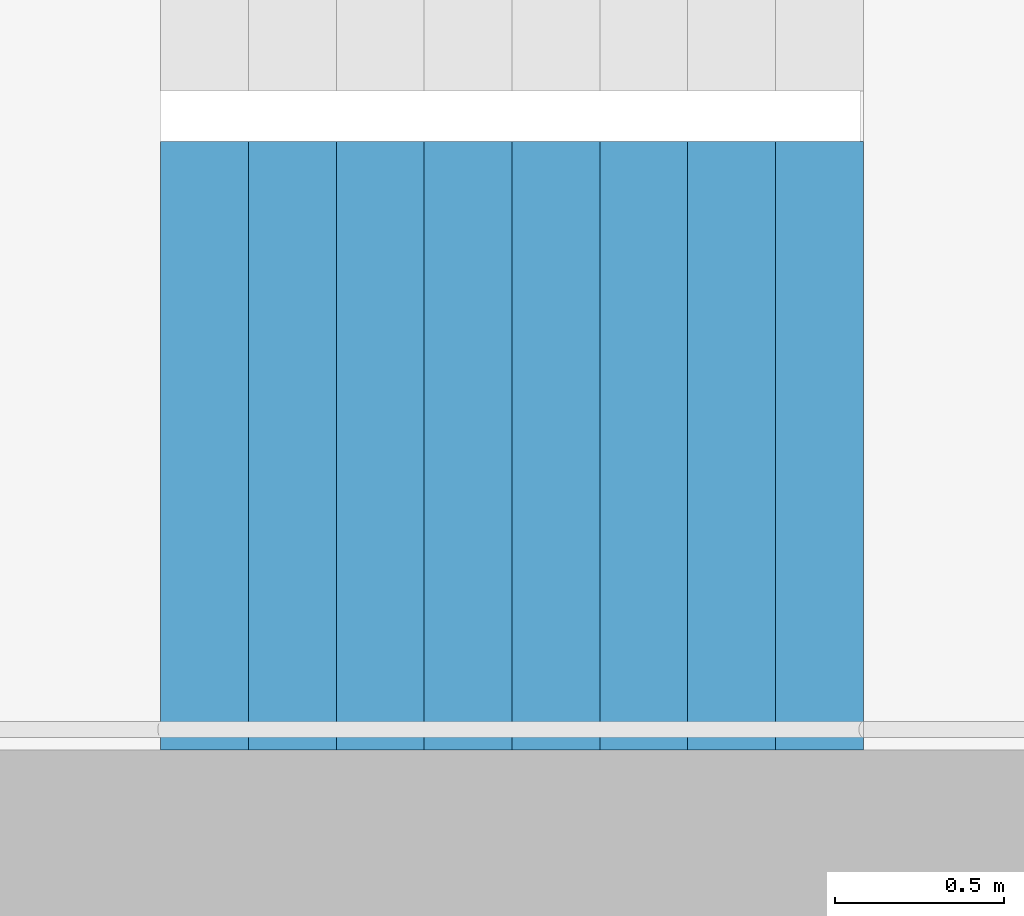
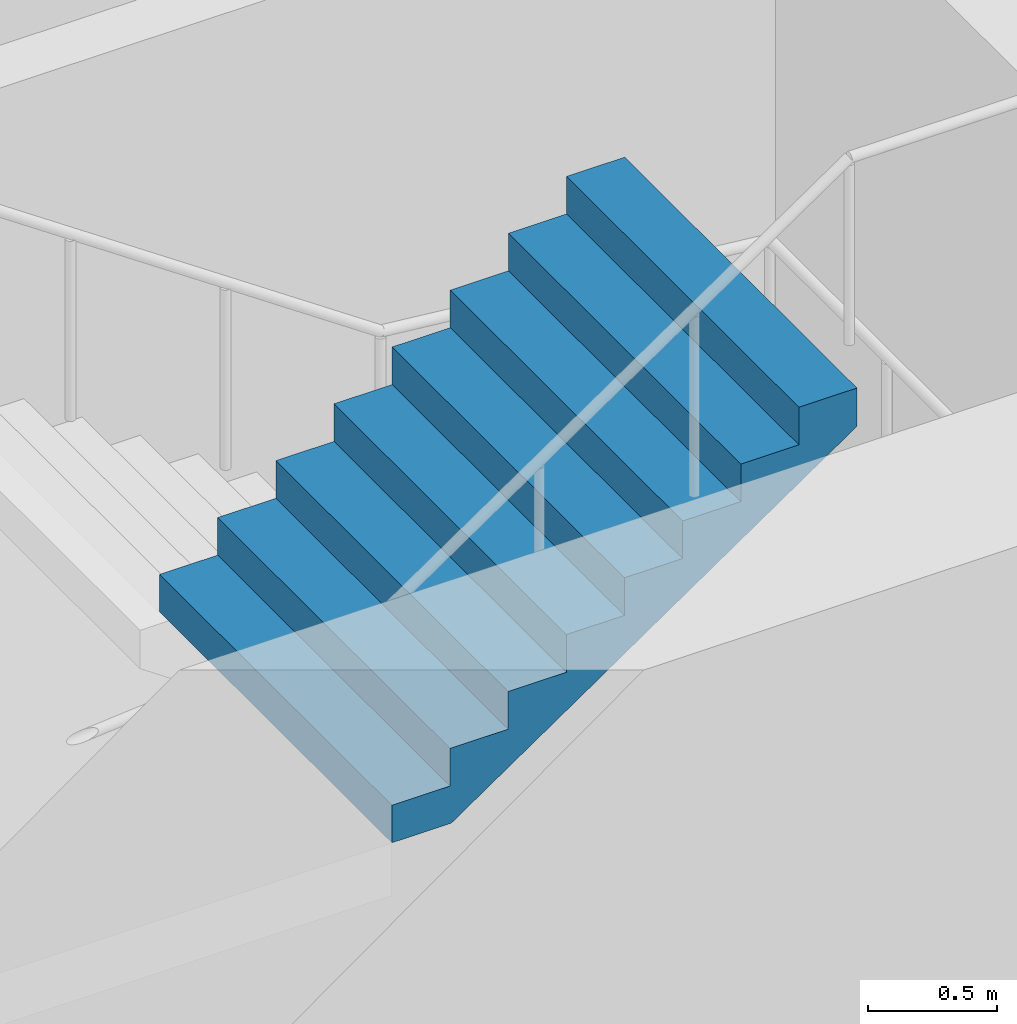
# One storey, part 18 of 43: 1 stair flight, 1 element without a shape of its own.
"""IFC4 building model written with IfcOpenShell, lengths in metres."""

from ifc_helpers import new_model, si_unit, direction, frame, origin, place, context, subcontext, project, spatial, triangles, material, type_object, element, aggregate, save


model = new_model("IFC4")

# Units and contexts
model_context = context("Model", 3, precision=1e-05, world=origin(), true_north=direction((0.0, 1.0)))
body_context = subcontext(model_context, "Body", "Model", "MODEL_VIEW")
ifc_project = project(units=[si_unit("LENGTHUNIT", "METRE"), si_unit("AREAUNIT", "SQUARE_METRE"), si_unit("VOLUMEUNIT", "CUBIC_METRE"), si_unit("PLANEANGLEUNIT", "RADIAN"), si_unit("MASSUNIT", "GRAM", prefix="KILO")], contexts=[model_context])

# Site, building, storey
site_placement = place(None, origin())
site = spatial("IfcSite", under=ifc_project, at=site_placement, CompositionType="ELEMENT")
building_placement = place(site_placement, origin())
building = spatial("IfcBuilding", under=site, at=building_placement, Name="Hakoniwa Tower and Hamabe Station Hall", CompositionType="ELEMENT")
storey_placement = place(building_placement, frame((0.0, 0.0, 124.60009765625)))
storey = spatial("IfcBuildingStorey", under=building, at=storey_placement, Name="L35", CompositionType="ELEMENT", Elevation=124.60009765625)

# Stair, stair flight
ifc_material_1 = material(Name="Concrete C40", Category="concrete")
stair_type = type_object("IfcStairType", Name="ESCAPE STAIR 1800", PredefinedType="HALF_TURN_STAIR", material=ifc_material_1)
stair_placement = place(storey_placement, origin())
stair = element("IfcStair", 1, at=stair_placement, inside=storey, type_object=stair_type, Name="Escape stair ST-2 L35", PredefinedType="HALF_TURN_STAIR")
ifc_material_2 = material(Name="Concrete C40", Category="concrete")
stair_flight_type = type_object("IfcStairFlightType", Name="STAIR FLIGHT 1800", PredefinedType="STRAIGHT", material=ifc_material_2)
stair_flight_placement = place(storey_placement, frame((-25.47998046875, -6.60009765625, 4.7998046875), z_axis=(0.0, 0.0, 1.0), x_axis=(1.0, 0.0, 0.0)))
stair_flight = element("IfcStairFlight", 2, at=stair_flight_placement, type_object=stair_flight_type, Name="ST-2 flight 4", NumberOfRisers=9, NumberOfTreads=8, PredefinedType="STRAIGHT", RiserHeight=0.177777778, TreadLength=0.26, context=body_context, shape_type="Tessellation", body=[
    triangles([(0.0, 0.89990234375, 0.0), (0.260009765625, 0.89990234375, 0.0), (0.265625, 0.89990234375, 0.0), (0.52001953125, 0.89990234375, 0.174072265625), (0.780029296875, 0.89990234375, 0.351806640625), (1.0400390625, 0.89990234375, 0.529541015625), (1.300048828125, 0.89990234375, 0.707275390625), (1.56005859375, 0.89990234375, 0.885009765625), (1.820068359375, 0.89990234375, 1.062744140625), (2.080078125, 0.89990234375, 1.24072265625), (2.080078125, 0.89990234375, 1.422119140625), (1.820068359375, 0.89990234375, 1.422119140625), (1.820068359375, 0.89990234375, 1.244384765625), (1.56005859375, 0.89990234375, 1.244384765625), (1.56005859375, 0.89990234375, 1.066650390625), (1.300048828125, 0.89990234375, 1.066650390625), (1.300048828125, 0.89990234375, 0.888916015625), (1.0400390625, 0.89990234375, 0.888916015625), (1.0400390625, 0.89990234375, 0.711181640625), (0.780029296875, 0.89990234375, 0.711181640625), (0.780029296875, 0.89990234375, 0.533447265625), (0.52001953125, 0.89990234375, 0.533447265625), (0.52001953125, 0.89990234375, 0.35546875), (0.265625, 0.89990234375, 0.35546875), (0.260009765625, 0.89990234375, 0.35546875), (0.260009765625, 0.89990234375, 0.177734375), (0.0, 0.89990234375, 0.177734375), (0.0, 0.06005859375, 0.0), (0.260009765625, 0.06005859375, 0.0), (0.265625, 0.06005859375, 0.0), (0.52001953125, 0.06005859375, 0.174072265625), (0.780029296875, 0.06005859375, 0.351806640625), (1.0400390625, 0.06005859375, 0.529541015625), (1.300048828125, 0.06005859375, 0.707275390625), (1.56005859375, 0.06005859375, 0.885009765625), (1.820068359375, 0.06005859375, 1.062744140625), (2.080078125, 0.06005859375, 1.24072265625), (2.080078125, 0.06005859375, 1.422119140625), (1.820068359375, 0.06005859375, 1.422119140625), (1.820068359375, 0.06005859375, 1.244384765625), (1.56005859375, 0.06005859375, 1.244384765625), (1.56005859375, 0.06005859375, 1.066650390625), (1.300048828125, 0.06005859375, 1.066650390625), (1.300048828125, 0.06005859375, 0.888916015625), (1.0400390625, 0.06005859375, 0.888916015625), (1.0400390625, 0.06005859375, 0.711181640625), (0.780029296875, 0.06005859375, 0.711181640625), (0.780029296875, 0.06005859375, 0.533447265625), (0.52001953125, 0.06005859375, 0.533447265625), (0.52001953125, 0.06005859375, 0.35546875), (0.265625, 0.06005859375, 0.35546875), (0.260009765625, 0.06005859375, 0.35546875), (0.260009765625, 0.06005859375, 0.177734375), (0.0, 0.06005859375, 0.177734375), (0.0, 0.04296875, 0.0), (0.260009765625, 0.04296875, 0.0), (0.265625, 0.04296875, 0.0), (0.52001953125, 0.04296875, 0.174072265625), (0.780029296875, 0.04296875, 0.351806640625), (1.0400390625, 0.04296875, 0.529541015625), (1.300048828125, 0.04296875, 0.707275390625), (1.56005859375, 0.04296875, 0.885009765625), (1.820068359375, 0.04296875, 1.062744140625), (2.080078125, 0.04296875, 1.24072265625), (2.080078125, 0.04296875, 1.422119140625), (1.820068359375, 0.04296875, 1.422119140625), (1.820068359375, 0.04296875, 1.244384765625), (1.56005859375, 0.04296875, 1.244384765625), (1.56005859375, 0.04296875, 1.066650390625), (1.300048828125, 0.04296875, 1.066650390625), (1.300048828125, 0.04296875, 0.888916015625), (1.0400390625, 0.04296875, 0.888916015625), (1.0400390625, 0.04296875, 0.711181640625), (0.780029296875, 0.04296875, 0.711181640625), (0.780029296875, 0.04296875, 0.533447265625), (0.52001953125, 0.04296875, 0.533447265625), (0.52001953125, 0.04296875, 0.35546875), (0.265625, 0.04296875, 0.35546875), (0.260009765625, 0.04296875, 0.35546875), (0.260009765625, 0.04296875, 0.177734375), (0.0, 0.04296875, 0.177734375), (0.0, 0.025634765625, 0.0), (0.260009765625, 0.025634765625, 0.0), (0.265625, 0.025634765625, 0.0), (0.52001953125, 0.025634765625, 0.174072265625), (0.780029296875, 0.025634765625, 0.351806640625), (1.0400390625, 0.025634765625, 0.529541015625), (1.300048828125, 0.025634765625, 0.707275390625), (1.56005859375, 0.025634765625, 0.885009765625), (1.820068359375, 0.025634765625, 1.062744140625), (2.080078125, 0.025634765625, 1.24072265625), (2.080078125, 0.025634765625, 1.422119140625), (1.820068359375, 0.025634765625, 1.422119140625), (1.820068359375, 0.025634765625, 1.244384765625), (1.56005859375, 0.025634765625, 1.244384765625), (1.56005859375, 0.025634765625, 1.066650390625), (1.300048828125, 0.025634765625, 1.066650390625), (1.300048828125, 0.025634765625, 0.888916015625), (1.0400390625, 0.025634765625, 0.888916015625), (1.0400390625, 0.025634765625, 0.711181640625), (0.780029296875, 0.025634765625, 0.711181640625), (0.780029296875, 0.025634765625, 0.533447265625), (0.52001953125, 0.025634765625, 0.533447265625), (0.52001953125, 0.025634765625, 0.35546875), (0.265625, 0.025634765625, 0.35546875), (0.260009765625, 0.025634765625, 0.35546875), (0.260009765625, 0.025634765625, 0.177734375), (0.0, 0.025634765625, 0.177734375), (0.0, 0.008544921875, 0.0), (0.260009765625, 0.008544921875, 0.0), (0.265625, 0.008544921875, 0.0), (0.52001953125, 0.008544921875, 0.174072265625), (0.780029296875, 0.008544921875, 0.351806640625), (1.0400390625, 0.008544921875, 0.529541015625), (1.300048828125, 0.008544921875, 0.707275390625), (1.56005859375, 0.008544921875, 0.885009765625), (1.820068359375, 0.008544921875, 1.062744140625), (2.080078125, 0.008544921875, 1.24072265625), (2.080078125, 0.008544921875, 1.422119140625), (1.820068359375, 0.008544921875, 1.422119140625), (1.820068359375, 0.008544921875, 1.244384765625), (1.56005859375, 0.008544921875, 1.244384765625), (1.56005859375, 0.008544921875, 1.066650390625), (1.300048828125, 0.008544921875, 1.066650390625), (1.300048828125, 0.008544921875, 0.888916015625), (1.0400390625, 0.008544921875, 0.888916015625), (1.0400390625, 0.008544921875, 0.711181640625), (0.780029296875, 0.008544921875, 0.711181640625), (0.780029296875, 0.008544921875, 0.533447265625), (0.52001953125, 0.008544921875, 0.533447265625), (0.52001953125, 0.008544921875, 0.35546875), (0.265625, 0.008544921875, 0.35546875), (0.260009765625, 0.008544921875, 0.35546875), (0.260009765625, 0.008544921875, 0.177734375), (0.0, 0.008544921875, 0.177734375), (0.0, -0.008544921875, 0.0), (0.260009765625, -0.008544921875, 0.0), (0.265625, -0.008544921875, 0.0), (0.52001953125, -0.008544921875, 0.174072265625), (0.780029296875, -0.008544921875, 0.351806640625), (1.0400390625, -0.008544921875, 0.529541015625), (1.300048828125, -0.008544921875, 0.707275390625), (1.56005859375, -0.008544921875, 0.885009765625), (1.820068359375, -0.008544921875, 1.062744140625), (2.080078125, -0.008544921875, 1.24072265625), (2.080078125, -0.008544921875, 1.422119140625), (1.820068359375, -0.008544921875, 1.422119140625), (1.820068359375, -0.008544921875, 1.244384765625), (1.56005859375, -0.008544921875, 1.244384765625), (1.56005859375, -0.008544921875, 1.066650390625), (1.300048828125, -0.008544921875, 1.066650390625), (1.300048828125, -0.008544921875, 0.888916015625), (1.0400390625, -0.008544921875, 0.888916015625), (1.0400390625, -0.008544921875, 0.711181640625), (0.780029296875, -0.008544921875, 0.711181640625), (0.780029296875, -0.008544921875, 0.533447265625), (0.52001953125, -0.008544921875, 0.533447265625), (0.52001953125, -0.008544921875, 0.35546875), (0.265625, -0.008544921875, 0.35546875), (0.260009765625, -0.008544921875, 0.35546875), (0.260009765625, -0.008544921875, 0.177734375), (0.0, -0.008544921875, 0.177734375), (0.0, -0.025634765625, 0.0), (0.260009765625, -0.025634765625, 0.0), (0.265625, -0.025634765625, 0.0), (0.52001953125, -0.025634765625, 0.174072265625), (0.780029296875, -0.025634765625, 0.351806640625), (1.0400390625, -0.025634765625, 0.529541015625), (1.300048828125, -0.025634765625, 0.707275390625), (1.56005859375, -0.025634765625, 0.885009765625), (1.820068359375, -0.025634765625, 1.062744140625), (2.080078125, -0.025634765625, 1.24072265625), (2.080078125, -0.025634765625, 1.422119140625), (1.820068359375, -0.025634765625, 1.422119140625), (1.820068359375, -0.025634765625, 1.244384765625), (1.56005859375, -0.025634765625, 1.244384765625), (1.56005859375, -0.025634765625, 1.066650390625), (1.300048828125, -0.025634765625, 1.066650390625), (1.300048828125, -0.025634765625, 0.888916015625), (1.0400390625, -0.025634765625, 0.888916015625), (1.0400390625, -0.025634765625, 0.711181640625), (0.780029296875, -0.025634765625, 0.711181640625), (0.780029296875, -0.025634765625, 0.533447265625), (0.52001953125, -0.025634765625, 0.533447265625), (0.52001953125, -0.025634765625, 0.35546875), (0.265625, -0.025634765625, 0.35546875), (0.260009765625, -0.025634765625, 0.35546875), (0.260009765625, -0.025634765625, 0.177734375), (0.0, -0.025634765625, 0.177734375), (0.0, -0.04296875, 0.0), (0.260009765625, -0.04296875, 0.0), (0.265625, -0.04296875, 0.0), (0.52001953125, -0.04296875, 0.174072265625), (0.780029296875, -0.04296875, 0.351806640625), (1.0400390625, -0.04296875, 0.529541015625), (1.300048828125, -0.04296875, 0.707275390625), (1.56005859375, -0.04296875, 0.885009765625), (1.820068359375, -0.04296875, 1.062744140625), (2.080078125, -0.04296875, 1.24072265625), (2.080078125, -0.04296875, 1.422119140625), (1.820068359375, -0.04296875, 1.422119140625), (1.820068359375, -0.04296875, 1.244384765625), (1.56005859375, -0.04296875, 1.244384765625), (1.56005859375, -0.04296875, 1.066650390625), (1.300048828125, -0.04296875, 1.066650390625), (1.300048828125, -0.04296875, 0.888916015625), (1.0400390625, -0.04296875, 0.888916015625), (1.0400390625, -0.04296875, 0.711181640625), (0.780029296875, -0.04296875, 0.711181640625), (0.780029296875, -0.04296875, 0.533447265625), (0.52001953125, -0.04296875, 0.533447265625), (0.52001953125, -0.04296875, 0.35546875), (0.265625, -0.04296875, 0.35546875), (0.260009765625, -0.04296875, 0.35546875), (0.260009765625, -0.04296875, 0.177734375), (0.0, -0.04296875, 0.177734375), (0.0, -0.06005859375, 0.0), (0.260009765625, -0.06005859375, 0.0), (0.265625, -0.06005859375, 0.0), (0.52001953125, -0.06005859375, 0.174072265625), (0.780029296875, -0.06005859375, 0.351806640625), (1.0400390625, -0.06005859375, 0.529541015625), (1.300048828125, -0.06005859375, 0.707275390625), (1.56005859375, -0.06005859375, 0.885009765625), (1.820068359375, -0.06005859375, 1.062744140625), (2.080078125, -0.06005859375, 1.24072265625), (2.080078125, -0.06005859375, 1.422119140625), (1.820068359375, -0.06005859375, 1.422119140625), (1.820068359375, -0.06005859375, 1.244384765625), (1.56005859375, -0.06005859375, 1.244384765625), (1.56005859375, -0.06005859375, 1.066650390625), (1.300048828125, -0.06005859375, 1.066650390625), (1.300048828125, -0.06005859375, 0.888916015625), (1.0400390625, -0.06005859375, 0.888916015625), (1.0400390625, -0.06005859375, 0.711181640625), (0.780029296875, -0.06005859375, 0.711181640625), (0.780029296875, -0.06005859375, 0.533447265625), (0.52001953125, -0.06005859375, 0.533447265625), (0.52001953125, -0.06005859375, 0.35546875), (0.265625, -0.06005859375, 0.35546875), (0.260009765625, -0.06005859375, 0.35546875), (0.260009765625, -0.06005859375, 0.177734375), (0.0, -0.06005859375, 0.177734375), (0.0, -0.89990234375, 0.0), (0.260009765625, -0.89990234375, 0.0), (0.265625, -0.89990234375, 0.0), (0.52001953125, -0.89990234375, 0.174072265625), (0.780029296875, -0.89990234375, 0.351806640625), (1.0400390625, -0.89990234375, 0.529541015625), (1.300048828125, -0.89990234375, 0.707275390625), (1.56005859375, -0.89990234375, 0.885009765625), (1.820068359375, -0.89990234375, 1.062744140625), (2.080078125, -0.89990234375, 1.24072265625), (2.080078125, -0.89990234375, 1.422119140625), (1.820068359375, -0.89990234375, 1.422119140625), (1.820068359375, -0.89990234375, 1.244384765625), (1.56005859375, -0.89990234375, 1.244384765625), (1.56005859375, -0.89990234375, 1.066650390625), (1.300048828125, -0.89990234375, 1.066650390625), (1.300048828125, -0.89990234375, 0.888916015625), (1.0400390625, -0.89990234375, 0.888916015625), (1.0400390625, -0.89990234375, 0.711181640625), (0.780029296875, -0.89990234375, 0.711181640625), (0.780029296875, -0.89990234375, 0.533447265625), (0.52001953125, -0.89990234375, 0.533447265625), (0.52001953125, -0.89990234375, 0.35546875), (0.265625, -0.89990234375, 0.35546875), (0.260009765625, -0.89990234375, 0.35546875), (0.260009765625, -0.89990234375, 0.177734375), (0.0, -0.89990234375, 0.177734375)], [[2, 27, 26], [245, 269, 270], [2, 1, 27], [245, 270, 244], [3, 25, 24], [246, 267, 268], [3, 26, 25], [246, 268, 269], [3, 2, 26], [246, 269, 245], [4, 24, 23], [247, 266, 267], [4, 3, 24], [247, 267, 246], [5, 22, 21], [248, 264, 265], [5, 23, 22], [248, 265, 266], [5, 4, 23], [248, 266, 247], [6, 20, 19], [249, 262, 263], [6, 21, 20], [249, 263, 264], [6, 5, 21], [249, 264, 248], [7, 18, 17], [250, 260, 261], [7, 19, 18], [250, 261, 262], [7, 6, 19], [250, 262, 249], [8, 16, 15], [251, 258, 259], [8, 17, 16], [251, 259, 260], [8, 7, 17], [251, 260, 250], [9, 14, 13], [252, 256, 257], [9, 15, 14], [252, 257, 258], [9, 8, 15], [252, 258, 251], [10, 12, 11], [253, 254, 255], [10, 13, 12], [253, 255, 256], [10, 9, 13], [253, 256, 252], [1, 2, 29], [1, 29, 28], [28, 29, 56], [28, 56, 55], [55, 56, 83], [55, 83, 82], [82, 83, 110], [82, 110, 109], [109, 110, 137], [109, 137, 136], [136, 137, 164], [136, 164, 163], [163, 164, 191], [163, 191, 190], [190, 191, 218], [190, 218, 217], [217, 218, 245], [217, 245, 244], [2, 3, 30], [2, 30, 29], [29, 30, 57], [29, 57, 56], [56, 57, 84], [56, 84, 83], [83, 84, 111], [83, 111, 110], [110, 111, 138], [110, 138, 137], [137, 138, 165], [137, 165, 164], [164, 165, 192], [164, 192, 191], [191, 192, 219], [191, 219, 218], [218, 219, 246], [218, 246, 245], [3, 4, 31], [3, 31, 30], [30, 31, 58], [30, 58, 57], [57, 58, 85], [57, 85, 84], [84, 85, 112], [84, 112, 111], [111, 112, 139], [111, 139, 138], [138, 139, 166], [138, 166, 165], [165, 166, 193], [165, 193, 192], [192, 193, 220], [192, 220, 219], [219, 220, 247], [219, 247, 246], [4, 5, 32], [4, 32, 31], [31, 32, 59], [31, 59, 58], [58, 59, 86], [58, 86, 85], [85, 86, 113], [85, 113, 112], [112, 113, 140], [112, 140, 139], [139, 140, 167], [139, 167, 166], [166, 167, 194], [166, 194, 193], [193, 194, 221], [193, 221, 220], [220, 221, 248], [220, 248, 247], [5, 6, 33], [5, 33, 32], [32, 33, 60], [32, 60, 59], [59, 60, 87], [59, 87, 86], [86, 87, 114], [86, 114, 113], [113, 114, 141], [113, 141, 140], [140, 141, 168], [140, 168, 167], [167, 168, 195], [167, 195, 194], [194, 195, 222], [194, 222, 221], [221, 222, 249], [221, 249, 248], [6, 7, 34], [6, 34, 33], [33, 34, 61], [33, 61, 60], [60, 61, 88], [60, 88, 87], [87, 88, 115], [87, 115, 114], [114, 115, 142], [114, 142, 141], [141, 142, 169], [141, 169, 168], [168, 169, 196], [168, 196, 195], [195, 196, 223], [195, 223, 222], [222, 223, 250], [222, 250, 249], [7, 8, 35], [7, 35, 34], [34, 35, 62], [34, 62, 61], [61, 62, 89], [61, 89, 88], [88, 89, 116], [88, 116, 115], [115, 116, 143], [115, 143, 142], [142, 143, 170], [142, 170, 169], [169, 170, 197], [169, 197, 196], [196, 197, 224], [196, 224, 223], [223, 224, 251], [223, 251, 250], [8, 9, 36], [8, 36, 35], [35, 36, 63], [35, 63, 62], [62, 63, 90], [62, 90, 89], [89, 90, 117], [89, 117, 116], [116, 117, 144], [116, 144, 143], [143, 144, 171], [143, 171, 170], [170, 171, 198], [170, 198, 197], [197, 198, 225], [197, 225, 224], [224, 225, 252], [224, 252, 251], [9, 10, 37], [9, 37, 36], [36, 37, 64], [36, 64, 63], [63, 64, 91], [63, 91, 90], [90, 91, 118], [90, 118, 117], [117, 118, 145], [117, 145, 144], [144, 145, 172], [144, 172, 171], [171, 172, 199], [171, 199, 198], [198, 199, 226], [198, 226, 225], [225, 226, 253], [225, 253, 252], [10, 11, 38], [10, 38, 37], [37, 38, 65], [37, 65, 64], [64, 65, 92], [64, 92, 91], [91, 92, 119], [91, 119, 118], [118, 119, 146], [118, 146, 145], [145, 146, 173], [145, 173, 172], [172, 173, 200], [172, 200, 199], [199, 200, 227], [199, 227, 226], [226, 227, 254], [226, 254, 253], [11, 12, 39], [11, 39, 38], [38, 39, 66], [38, 66, 65], [65, 66, 93], [65, 93, 92], [92, 93, 120], [92, 120, 119], [119, 120, 147], [119, 147, 146], [146, 147, 174], [146, 174, 173], [173, 174, 201], [173, 201, 200], [200, 201, 228], [200, 228, 227], [227, 228, 255], [227, 255, 254], [12, 13, 40], [12, 40, 39], [39, 40, 67], [39, 67, 66], [66, 67, 94], [66, 94, 93], [93, 94, 121], [93, 121, 120], [120, 121, 148], [120, 148, 147], [147, 148, 175], [147, 175, 174], [174, 175, 202], [174, 202, 201], [201, 202, 229], [201, 229, 228], [228, 229, 256], [228, 256, 255], [13, 14, 41], [13, 41, 40], [40, 41, 68], [40, 68, 67], [67, 68, 95], [67, 95, 94], [94, 95, 122], [94, 122, 121], [121, 122, 149], [121, 149, 148], [148, 149, 176], [148, 176, 175], [175, 176, 203], [175, 203, 202], [202, 203, 230], [202, 230, 229], [229, 230, 257], [229, 257, 256], [14, 15, 42], [14, 42, 41], [41, 42, 69], [41, 69, 68], [68, 69, 96], [68, 96, 95], [95, 96, 123], [95, 123, 122], [122, 123, 150], [122, 150, 149], [149, 150, 177], [149, 177, 176], [176, 177, 204], [176, 204, 203], [203, 204, 231], [203, 231, 230], [230, 231, 258], [230, 258, 257], [15, 16, 43], [15, 43, 42], [42, 43, 70], [42, 70, 69], [69, 70, 97], [69, 97, 96], [96, 97, 124], [96, 124, 123], [123, 124, 151], [123, 151, 150], [150, 151, 178], [150, 178, 177], [177, 178, 205], [177, 205, 204], [204, 205, 232], [204, 232, 231], [231, 232, 259], [231, 259, 258], [16, 17, 44], [16, 44, 43], [43, 44, 71], [43, 71, 70], [70, 71, 98], [70, 98, 97], [97, 98, 125], [97, 125, 124], [124, 125, 152], [124, 152, 151], [151, 152, 179], [151, 179, 178], [178, 179, 206], [178, 206, 205], [205, 206, 233], [205, 233, 232], [232, 233, 260], [232, 260, 259], [17, 18, 45], [17, 45, 44], [44, 45, 72], [44, 72, 71], [71, 72, 99], [71, 99, 98], [98, 99, 126], [98, 126, 125], [125, 126, 153], [125, 153, 152], [152, 153, 180], [152, 180, 179], [179, 180, 207], [179, 207, 206], [206, 207, 234], [206, 234, 233], [233, 234, 261], [233, 261, 260], [18, 19, 46], [18, 46, 45], [45, 46, 73], [45, 73, 72], [72, 73, 100], [72, 100, 99], [99, 100, 127], [99, 127, 126], [126, 127, 154], [126, 154, 153], [153, 154, 181], [153, 181, 180], [180, 181, 208], [180, 208, 207], [207, 208, 235], [207, 235, 234], [234, 235, 262], [234, 262, 261], [19, 20, 47], [19, 47, 46], [46, 47, 74], [46, 74, 73], [73, 74, 101], [73, 101, 100], [100, 101, 128], [100, 128, 127], [127, 128, 155], [127, 155, 154], [154, 155, 182], [154, 182, 181], [181, 182, 209], [181, 209, 208], [208, 209, 236], [208, 236, 235], [235, 236, 263], [235, 263, 262], [20, 21, 48], [20, 48, 47], [47, 48, 75], [47, 75, 74], [74, 75, 102], [74, 102, 101], [101, 102, 129], [101, 129, 128], [128, 129, 156], [128, 156, 155], [155, 156, 183], [155, 183, 182], [182, 183, 210], [182, 210, 209], [209, 210, 237], [209, 237, 236], [236, 237, 264], [236, 264, 263], [21, 22, 49], [21, 49, 48], [48, 49, 76], [48, 76, 75], [75, 76, 103], [75, 103, 102], [102, 103, 130], [102, 130, 129], [129, 130, 157], [129, 157, 156], [156, 157, 184], [156, 184, 183], [183, 184, 211], [183, 211, 210], [210, 211, 238], [210, 238, 237], [237, 238, 265], [237, 265, 264], [22, 23, 50], [22, 50, 49], [49, 50, 77], [49, 77, 76], [76, 77, 104], [76, 104, 103], [103, 104, 131], [103, 131, 130], [130, 131, 158], [130, 158, 157], [157, 158, 185], [157, 185, 184], [184, 185, 212], [184, 212, 211], [211, 212, 239], [211, 239, 238], [238, 239, 266], [238, 266, 265], [23, 24, 51], [23, 51, 50], [50, 51, 78], [50, 78, 77], [77, 78, 105], [77, 105, 104], [104, 105, 132], [104, 132, 131], [131, 132, 159], [131, 159, 158], [158, 159, 186], [158, 186, 185], [185, 186, 213], [185, 213, 212], [212, 213, 240], [212, 240, 239], [239, 240, 267], [239, 267, 266], [24, 25, 52], [24, 52, 51], [51, 52, 79], [51, 79, 78], [78, 79, 106], [78, 106, 105], [105, 106, 133], [105, 133, 132], [132, 133, 160], [132, 160, 159], [159, 160, 187], [159, 187, 186], [186, 187, 214], [186, 214, 213], [213, 214, 241], [213, 241, 240], [240, 241, 268], [240, 268, 267], [25, 26, 53], [25, 53, 52], [52, 53, 80], [52, 80, 79], [79, 80, 107], [79, 107, 106], [106, 107, 134], [106, 134, 133], [133, 134, 161], [133, 161, 160], [160, 161, 188], [160, 188, 187], [187, 188, 215], [187, 215, 214], [214, 215, 242], [214, 242, 241], [241, 242, 269], [241, 269, 268], [26, 27, 54], [26, 54, 53], [53, 54, 81], [53, 81, 80], [80, 81, 108], [80, 108, 107], [107, 108, 135], [107, 135, 134], [134, 135, 162], [134, 162, 161], [161, 162, 189], [161, 189, 188], [188, 189, 216], [188, 216, 215], [215, 216, 243], [215, 243, 242], [242, 243, 270], [242, 270, 269], [27, 1, 28], [27, 28, 54], [54, 28, 55], [54, 55, 81], [81, 55, 82], [81, 82, 108], [108, 82, 109], [108, 109, 135], [135, 109, 136], [135, 136, 162], [162, 136, 163], [162, 163, 189], [189, 163, 190], [189, 190, 216], [216, 190, 217], [216, 217, 243], [243, 217, 244], [243, 244, 270]], closed=True),
])
aggregate(stair, [stair_flight])

save(model, "model.ifc")
